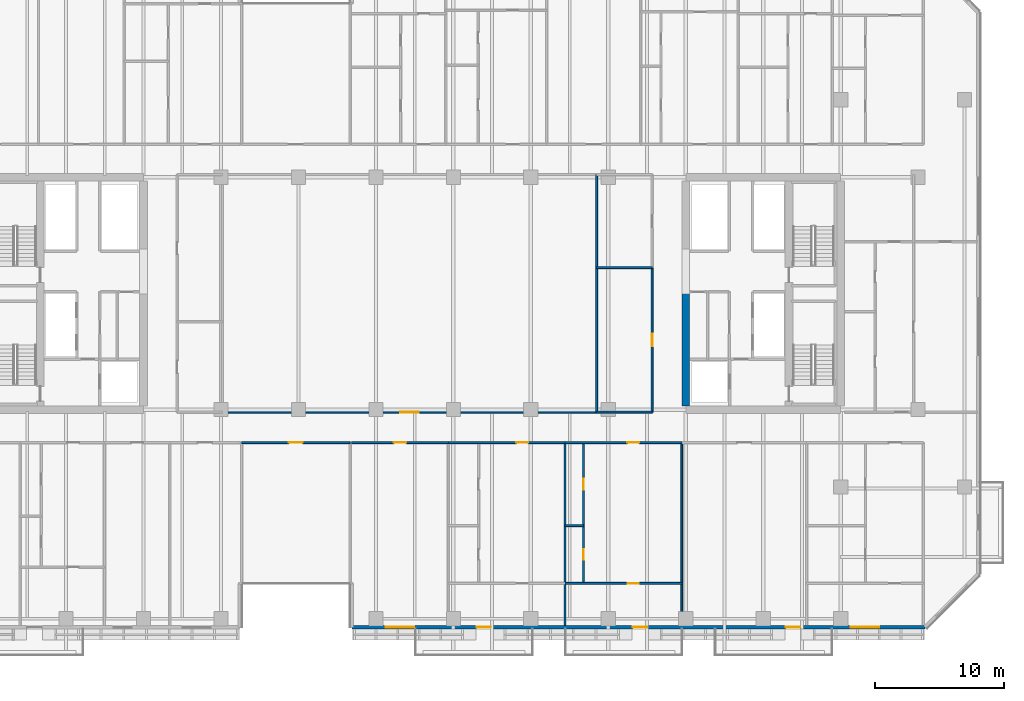
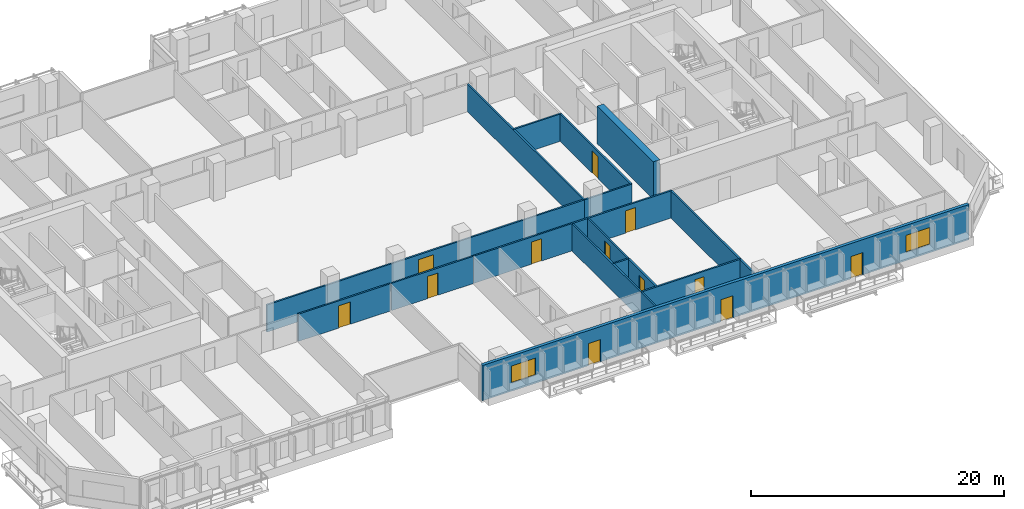
# One storey, part 12 of 26: 16 walls, 12 doors, 2 windows, 14 openings.
"""IFC4 building model written with IfcOpenShell, lengths in metres."""

import ifcopenshell
import ifcopenshell.guid

model = None  # the IFC model being written
_history = None  # IfcOwnerHistory: only IFC2X3 demands one
_inside = {}  # id of a spatial element -> (the spatial element, [elements in it])
_under = {}  # id of a project, library or spatial element -> (it, [spatial elements below it])
_declared = {}  # id of a project -> (the project, [libraries it declares])
_typed = {}  # id of a type object -> (the type object, [elements of that type])
_made_of = {}  # id of a material, layer set ... -> (it, [elements and type objects made of it])


def new_model(schema):
    """Start an empty IFC model of exactly this schema.

    Asked for "IFC4X3", IfcOpenShell would pick the latest addendum, in which some entities
    have other attributes; the version numbers below select the first issue.
    IFC2X3 requires an IfcOwnerHistory on every rooted entity: one is made here for all.
    """
    global model, _history
    if schema == "IFC4X3":
        model = ifcopenshell.file(schema_version=(4, 3, 0, 0))
    else:
        model = ifcopenshell.file(schema=schema)
    _inside.clear()
    _under.clear()
    _declared.clear()
    _typed.clear()
    _made_of.clear()
    _history = None
    if model.schema == "IFC2X3":
        org = make("IfcOrganization", Name="unknown")
        user = make(
            "IfcPersonAndOrganization",
            ThePerson=make("IfcPerson", FamilyName="unknown"),
            TheOrganization=org,
        )
        app = make(
            "IfcApplication",
            ApplicationDeveloper=org,
            Version="unknown",
            ApplicationFullName="unknown",
            ApplicationIdentifier="unknown",
        )
        _history = make(
            "IfcOwnerHistory",
            OwningUser=user,
            OwningApplication=app,
            ChangeAction="ADDED",
            CreationDate=0,
        )
    return model


def make(cls, **values):
    """One entity of the class cls with the attributes given. An attribute that is None is left unset."""
    return model.create_entity(
        cls, **{name: value for name, value in values.items() if value is not None}
    )


def rooted(cls, **values):
    """An entity with a GlobalId (a new one), such as an element, a storey or a relation."""
    return make(cls, GlobalId=ifcopenshell.guid.new(), OwnerHistory=_history, **values)


def si_unit(unit_type, name, prefix=None):
    """IfcSIUnit, for example si_unit("LENGTHUNIT", "METRE", prefix="MILLI")."""
    return make("IfcSIUnit", UnitType=unit_type, Prefix=prefix, Name=name)


def assignment(units):
    """IfcUnitAssignment: the units of a project."""
    return None if units is None else make("IfcUnitAssignment", Units=units)


def point(xyz):
    """IfcCartesianPoint."""
    return None if xyz is None else make("IfcCartesianPoint", Coordinates=xyz)


def direction(xyz):
    """IfcDirection."""
    return None if xyz is None else make("IfcDirection", DirectionRatios=xyz)


def frame(location, z_axis=None, x_axis=None):
    """IfcAxis2Placement3D, a coordinate frame: its origin and axes. An axis left out is left unset."""
    return make(
        "IfcAxis2Placement3D",
        Location=point(location),
        Axis=direction(z_axis),
        RefDirection=direction(x_axis),
    )


def frame_2d(location, x_axis=None):
    """IfcAxis2Placement2D, a coordinate frame in the plane: its origin and x axis."""
    return make(
        "IfcAxis2Placement2D", Location=point(location), RefDirection=direction(x_axis)
    )


def origin():
    """The frame at (0, 0, 0) with its axes left unset."""
    return frame((0.0, 0.0, 0.0))


def place(relative_to, where):
    """IfcLocalPlacement: puts the frame where relative to a parent placement (None: the world)."""
    return make(
        "IfcLocalPlacement", PlacementRelTo=relative_to, RelativePlacement=where
    )


def context(
    kind, dimensions, precision=None, world=None, true_north=None, identifier=None
):
    """IfcGeometricRepresentationContext, for example the 3D "Model" context."""
    return make(
        "IfcGeometricRepresentationContext",
        ContextIdentifier=identifier,
        ContextType=kind,
        CoordinateSpaceDimension=dimensions,
        Precision=precision,
        WorldCoordinateSystem=world,
        TrueNorth=true_north,
    )


def subcontext(parent, identifier, kind, view, scale=None):
    """IfcGeometricRepresentationSubContext, for example "Body" below "Model"."""
    return make(
        "IfcGeometricRepresentationSubContext",
        ContextIdentifier=identifier,
        ContextType=kind,
        ParentContext=parent,
        TargetScale=scale,
        TargetView=view,
    )


def project(units=None, contexts=None):
    """IfcProject with its units and contexts."""
    return rooted(
        "IfcProject",
        Name="project",
        RepresentationContexts=contexts,
        UnitsInContext=assignment(units),
    )


def spatial(cls, under=None, at=None, **own):
    """A site, building, storey or space (cls), placed at a placement, below another one or the project."""
    s = rooted(cls, ObjectPlacement=at, **own)
    if under is not None:
        _under.setdefault(under.id(), (under, []))[1].append(s)
    return s


def profile(cls, at=None, kind="AREA", **sizes):
    """A parametric profile (cls). Its sizes go by their IFC names, for example OverallWidth=200.0."""
    return make(cls, ProfileType=kind, Position=at, **sizes)


def rectangle(**sizes):
    """IfcRectangleProfileDef."""
    return profile("IfcRectangleProfileDef", **sizes)


def extrude(swept, where, along, depth):
    """IfcExtrudedAreaSolid: the profile swept, set in the frame where, extruded along a direction by depth."""
    return make(
        "IfcExtrudedAreaSolid",
        SweptArea=swept,
        Position=where,
        ExtrudedDirection=direction(along),
        Depth=depth,
    )


def shape(context_of_items, identifier, shape_type, items):
    """IfcShapeRepresentation: the items that make up one representation, for example the "Body"."""
    return make(
        "IfcShapeRepresentation",
        ContextOfItems=context_of_items,
        RepresentationIdentifier=identifier,
        RepresentationType=shape_type,
        Items=items,
    )


def material(Name=None, Category=None):
    """IfcMaterial."""
    return make("IfcMaterial", Name=Name, Category=Category)


def layer(
    of_material, thickness, ventilated=None, Name=None, Category=None, Priority=None
):
    """IfcMaterialLayer: one layer of a wall or slab, of a material (None: an air gap)."""
    return make(
        "IfcMaterialLayer",
        Material=of_material,
        LayerThickness=thickness,
        IsVentilated=ventilated,
        Name=Name,
        Category=Category,
        Priority=Priority,
    )


def layer_set(layers, Name=None):
    """IfcMaterialLayerSet."""
    return make("IfcMaterialLayerSet", MaterialLayers=layers, LayerSetName=Name)


def made_of(thing, what):
    """Note that an element or type object is made of a material, layer set ...; save() writes the relation."""
    if what is not None:
        _made_of.setdefault(what.id(), (what, []))[1].append(thing)
    return thing


def type_object(cls, material=None, **own):
    """A type object (cls), such as IfcWallType, which elements share."""
    return made_of(rooted(cls, **own), material)


def element(
    cls,
    number,
    at=None,
    inside=None,
    cuts=None,
    type_object=None,
    material=None,
    context=None,
    identifier="Body",
    shape_type=None,
    held_by="IfcProductDefinitionShape",
    body=None,
    shapes=None,
    **own,
):
    """One element of the class cls, such as IfcWall. Its Tag is "e" and its number.

    at: its placement. inside: the storey or other place that contains it. cuts: it is an
    opening in that element (IfcRelVoidsElement). A single representation is given by context,
    identifier, shape_type and body (its items); several are given by shapes. held_by: the class
    of the entity that holds the representations. save() writes the other relations.
    """
    e = rooted(cls, Tag="e%d" % number, ObjectPlacement=at, **own)
    if body is not None:
        shapes = [shape(context, identifier, shape_type, body)]
    if shapes is not None:
        e.Representation = make(held_by, Representations=shapes)
    if inside is not None:
        _inside.setdefault(inside.id(), (inside, []))[1].append(e)
    if cuts is not None:
        rooted(
            "IfcRelVoidsElement", RelatingBuildingElement=cuts, RelatedOpeningElement=e
        )
    if type_object is not None:
        _typed.setdefault(type_object.id(), (type_object, []))[1].append(e)
    return made_of(e, material)


def fill(opening, filler):
    """IfcRelFillsElement: the door or window that sits in an opening."""
    return rooted(
        "IfcRelFillsElement",
        RelatingOpeningElement=opening,
        RelatedBuildingElement=filler,
    )


def aggregate(whole, parts):
    """IfcRelAggregates: a whole, such as a stair, and the parts it consists of."""
    return rooted("IfcRelAggregates", RelatingObject=whole, RelatedObjects=parts)


def save(model, path):
    """Write the relations noted so far, then the file.

    IfcRelAggregates (storeys below a building ...), IfcRelContainedInSpatialStructure (elements
    in a storey), IfcRelDefinesByType, IfcRelAssociatesMaterial and IfcRelDeclares: one each for
    every whole, place, type object, material and project.
    """
    for whole, parts in _under.values():
        aggregate(whole, parts)
    for where, things in _inside.values():
        rooted(
            "IfcRelContainedInSpatialStructure",
            RelatedElements=things,
            RelatingStructure=where,
        )
    for kind, things in _typed.values():
        rooted("IfcRelDefinesByType", RelatedObjects=things, RelatingType=kind)
    for what, things in _made_of.values():
        rooted("IfcRelAssociatesMaterial", RelatedObjects=things, RelatingMaterial=what)
    for by, libraries in _declared.values():
        rooted("IfcRelDeclares", RelatingContext=by, RelatedDefinitions=libraries)
    model.write(path)


model = new_model("IFC4")

# Units and contexts
model_context = context("Model", 3, precision=1e-05, world=origin(), true_north=direction((0.0, 1.0)))
body_context = subcontext(model_context, "Body", "Model", "MODEL_VIEW")
ifc_project = project(units=[si_unit("LENGTHUNIT", "METRE"), si_unit("AREAUNIT", "SQUARE_METRE"), si_unit("VOLUMEUNIT", "CUBIC_METRE"), si_unit("PLANEANGLEUNIT", "RADIAN"), si_unit("MASSUNIT", "GRAM", prefix="KILO")], contexts=[model_context])

# Site, building, storey
site_placement = place(None, origin())
site = spatial("IfcSite", under=ifc_project, at=site_placement, CompositionType="ELEMENT")
building_placement = place(site_placement, origin())
building = spatial("IfcBuilding", under=site, at=building_placement, Name="Tanjung Sevakor Pilgrim Tower", CompositionType="ELEMENT")
storey_placement = place(building_placement, frame((0.0, 0.0, 66.0)))
storey = spatial("IfcBuildingStorey", under=building, at=storey_placement, Name="L18", CompositionType="ELEMENT", Elevation=66.0)

# Wall
ifc_material_1 = material(Name="Concrete C60/75", Category="concrete")
ifc_layer_1 = layer(ifc_material_1, 0.60009765625)
ifc_layer_set_1 = layer_set([ifc_layer_1], Name="WALL-CW-600")
wall_type_1 = type_object("IfcWallType", Name="WALL-CW-600", PredefinedType="SHEAR", material=ifc_layer_set_1)
wall_1_placement = place(storey_placement, frame((78.0, 24.89990234375, 0.0), z_axis=(0.0, 0.0, 1.0), x_axis=(0.0, 1.0, 0.0)))
element("IfcWall", 1, at=wall_1_placement, inside=storey, type_object=wall_type_1, Name="L18 E Core Inner Shear Wall South", PredefinedType="SHEAR", context=body_context, shape_type="SweptSolid", body=[
    extrude(rectangle(XDim=8.900146484375, YDim=0.60009765625, at=frame_2d((4.4501953125, 0.0))), origin(), (0.0, 0.0, 1.0), 3.6298828125),
])

# Wall, opening, door
ifc_material_2 = material(Name="Concrete C40/50", Category="concrete")
ifc_layer_2 = layer(ifc_material_2, 0.14990234375)
ifc_layer_set_2 = layer_set([ifc_layer_2], Name="WT-COMP-150")
wall_type_2 = type_object("IfcWallType", Name="WT-COMP-150", PredefinedType="SOLIDWALL", material=ifc_layer_set_2)
wall_2_placement = place(storey_placement, frame((42.10009765625, 24.39990234375, 0.0), z_axis=(0.0, 0.0, 1.0), x_axis=(1.0, 0.0, 0.0)))
wall_2 = element("IfcWall", 2, at=wall_2_placement, inside=storey, type_object=wall_type_2, Name="L18 Partition IW-L18-030", PredefinedType="SOLIDWALL", context=body_context, shape_type="SweptSolid", body=[
    extrude(rectangle(XDim=29.0, YDim=0.14990234375, at=frame_2d((14.5, 0.0))), origin(), (0.0, 0.0, 1.0), 2.625244140625),
])
opening_1_placement = place(wall_2_placement, frame((13.800048828125, 0.0, 0.0)))
opening_1 = element("IfcOpeningElement", 3, at=opening_1_placement, cuts=wall_2, Name="Opening ID-HD1", PredefinedType="OPENING", context=body_context, shape_type="SweptSolid", body=[
    extrude(rectangle(XDim=1.39990234375, YDim=2.14990234375, at=frame_2d((0.699951171875, 1.074951171875))), frame((0.0, 0.0849609375, 0.0), z_axis=(0.0, -1.0, 0.0), x_axis=(1.0, 0.0, 0.0)), (0.0, 0.0, 1.0), 0.169921875),
])
ifc_material_3 = material(Name="Hardwood Timber", Category="wood")
door_type_1 = type_object("IfcDoorType", Name="DT-INT-1400", OperationType="DOUBLE_DOOR_SINGLE_SWING", PredefinedType="DOOR", material=ifc_material_3)
door_1_placement = place(opening_1_placement, origin())
door_1 = element("IfcDoor", 4, at=door_1_placement, inside=storey, type_object=door_type_1, Name="L18 Sky-Prayer Sanctuary Door", OperationType="SINGLE_SWING_RIGHT", OverallHeight=2.14990234375, OverallWidth=1.39990234375, PredefinedType="DOOR", context=body_context, shape_type="SweptSolid", body=[
    extrude(rectangle(XDim=1.39990234375, YDim=2.14990234375, at=frame_2d((0.699951171875, 1.074951171875))), frame((0.0, 0.02490234375, 0.0), z_axis=(0.0, -1.0, 0.0), x_axis=(1.0, 0.0, 0.0)), (0.0, 0.0, 1.0), 0.050048828125),
])
fill(opening_1, door_1)

# Walls
wall_3_placement = place(storey_placement, frame((71.10009765625, 24.39990234375, 0.0), z_axis=(0.0, 0.0, 1.0), x_axis=(0.0, 1.0, 0.0)))
element("IfcWall", 5, at=wall_3_placement, inside=storey, type_object=wall_type_2, Name="L18 Partition IW-L18-033", PredefinedType="SOLIDWALL", context=body_context, shape_type="SweptSolid", body=[
    extrude(rectangle(XDim=18.400146484375, YDim=0.14990234375, at=frame_2d((9.2001953125, 0.0))), origin(), (0.0, 0.0, 1.0), 2.6298828125),
])
wall_4_placement = place(storey_placement, frame((71.10009765625, 24.39990234375, 0.0), z_axis=(0.0, 0.0, 1.0), x_axis=(1.0, 0.0, 0.0)))
element("IfcWall", 6, at=wall_4_placement, inside=storey, type_object=wall_type_2, Name="L18 Partition IW-L18-034", PredefinedType="SOLIDWALL", context=body_context, shape_type="SweptSolid", body=[
    extrude(rectangle(XDim=4.2998046875, YDim=0.14990234375, at=frame_2d((2.14990234375, 0.0))), origin(), (0.0, 0.0, 1.0), 2.625244140625),
])
wall_5_placement = place(storey_placement, frame((71.10009765625, 35.60009765625, 0.0), z_axis=(0.0, 0.0, 1.0), x_axis=(1.0, 0.0, 0.0)))
element("IfcWall", 7, at=wall_5_placement, inside=storey, type_object=wall_type_2, Name="L18 Partition IW-L18-035", PredefinedType="SOLIDWALL", context=body_context, shape_type="SweptSolid", body=[
    extrude(rectangle(XDim=4.2998046875, YDim=0.14990234375, at=frame_2d((2.14990234375, 0.0))), origin(), (0.0, 0.0, 1.0), 2.6298828125),
])

# Wall, opening, door
wall_6_placement = place(storey_placement, frame((75.39990234375, 24.39990234375, 0.0), z_axis=(0.0, 0.0, 1.0), x_axis=(0.0, 1.0, 0.0)))
wall_6 = element("IfcWall", 8, at=wall_6_placement, inside=storey, type_object=wall_type_2, Name="L18 Partition IW-L18-036", PredefinedType="SOLIDWALL", context=body_context, shape_type="SweptSolid", body=[
    extrude(rectangle(XDim=11.2001953125, YDim=0.14990234375, at=frame_2d((5.60009765625, 0.0))), origin(), (0.0, 0.0, 1.0), 2.6298828125),
])
opening_2_placement = place(wall_6_placement, frame((5.125, 0.0, 0.0)))
opening_2 = element("IfcOpeningElement", 9, at=opening_2_placement, cuts=wall_6, Name="Opening ID-RM1", PredefinedType="OPENING", context=body_context, shape_type="SweptSolid", body=[
    extrude(rectangle(XDim=0.949951171875, YDim=2.14990234375, at=frame_2d((0.47509765625, 1.074951171875))), frame((0.0, 0.0849609375, 0.0), z_axis=(0.0, -1.0, 0.0), x_axis=(1.0, 0.0, 0.0)), (0.0, 0.0, 1.0), 0.169921875),
])
ifc_material_4 = material(Name="Hardwood Timber", Category="wood")
door_type_2 = type_object("IfcDoorType", Name="DT-INT-950", OperationType="NOTDEFINED", PredefinedType="DOOR", material=ifc_material_4)
door_2_placement = place(opening_2_placement, origin())
door_2 = element("IfcDoor", 10, at=door_2_placement, inside=storey, type_object=door_type_2, Name="L18 Female Ablution Door", OperationType="SINGLE_SWING_LEFT", OverallHeight=2.14990234375, OverallWidth=0.949951171875, PredefinedType="DOOR", context=body_context, shape_type="SweptSolid", body=[
    extrude(rectangle(XDim=0.949951171875, YDim=2.14990234375, at=frame_2d((0.47509765625, 1.074951171875))), frame((0.0, 0.02490234375, 0.0), z_axis=(0.0, -1.0, 0.0), x_axis=(1.0, 0.0, 0.0)), (0.0, 0.0, 1.0), 0.050048828125),
])
fill(opening_2, door_2)

wall_7_placement = place(storey_placement, frame((43.60009765625, 22.050048828125, 0.0), z_axis=(0.0, 0.0, 1.0), x_axis=(1.0, 0.0, 0.0)))
wall_7 = element("IfcWall", 11, at=wall_7_placement, inside=storey, type_object=wall_type_2, Name="L18 Partition IW-L18-046", PredefinedType="SOLIDWALL", context=body_context, shape_type="SweptSolid", body=[
    extrude(rectangle(XDim=8.39990234375, YDim=0.14990234375, at=frame_2d((4.199951171875, 0.0))), origin(), (0.0, 0.0, 1.0), 2.6298828125),
])
opening_3_placement = place(wall_7_placement, frame((3.64990234375, 0.0, 0.0)))
opening_3 = element("IfcOpeningElement", 12, at=opening_3_placement, cuts=wall_7, Name="Opening ID-RM2", PredefinedType="OPENING", context=body_context, shape_type="SweptSolid", body=[
    extrude(rectangle(XDim=1.10009765625, YDim=2.14990234375, at=frame_2d((0.550048828125, 1.074951171875))), frame((0.0, 0.0849609375, 0.0), z_axis=(0.0, -1.0, 0.0), x_axis=(1.0, 0.0, 0.0)), (0.0, 0.0, 1.0), 0.169921875),
])
ifc_material_5 = material(Name="Hardwood Timber", Category="wood")
door_type_3 = type_object("IfcDoorType", Name="DT-INT-1100", OperationType="NOTDEFINED", PredefinedType="DOOR", material=ifc_material_5)
door_3_placement = place(opening_3_placement, origin())
door_3 = element("IfcDoor", 13, at=door_3_placement, inside=storey, type_object=door_type_3, Name="L18 South Cleft Communal Lounge Door", OperationType="SINGLE_SWING_RIGHT", OverallHeight=2.14990234375, OverallWidth=1.10009765625, PredefinedType="DOOR", context=body_context, shape_type="SweptSolid", body=[
    extrude(rectangle(XDim=1.10009765625, YDim=2.14990234375, at=frame_2d((0.550048828125, 1.074951171875))), frame((0.0, 0.02490234375, 0.0), z_axis=(0.0, -1.0, 0.0), x_axis=(1.0, 0.0, 0.0)), (0.0, 0.0, 1.0), 0.050048828125),
])
fill(opening_3, door_3)

wall_8_placement = place(storey_placement, frame((52.1201171875, 22.050048828125, 0.0), z_axis=(0.0, 0.0, 1.0), x_axis=(1.0, 0.0, 0.0)))
wall_8 = element("IfcWall", 14, at=wall_8_placement, inside=storey, type_object=wall_type_2, Name="L18 Partition IW-L18-065", PredefinedType="SOLIDWALL", context=body_context, shape_type="SweptSolid", body=[
    extrude(rectangle(XDim=7.48388671875, YDim=0.14990234375, at=frame_2d((3.741943359375, 0.0))), origin(), (0.0, 0.0, 1.0), 2.6298828125),
])
opening_4_placement = place(wall_8_placement, frame((3.26708984375, 0.0, 0.0)))
opening_4 = element("IfcOpeningElement", 15, at=opening_4_placement, cuts=wall_8, Name="Opening ID-FD2", PredefinedType="OPENING", context=body_context, shape_type="SweptSolid", body=[
    extrude(rectangle(XDim=0.949951171875, YDim=2.14990234375, at=frame_2d((0.47509765625, 1.074951171875))), frame((0.0, 0.0849609375, 0.0), z_axis=(0.0, -1.0, 0.0), x_axis=(1.0, 0.0, 0.0)), (0.0, 0.0, 1.0), 0.169921875),
])
ifc_material_6 = material(Name="Fire-Rated Timber", Category="wood")
door_type_4 = type_object("IfcDoorType", Name="DT-FIRE-950", OperationType="NOTDEFINED", PredefinedType="DOOR", material=ifc_material_6)
door_4_placement = place(opening_4_placement, origin())
door_4 = element("IfcDoor", 16, at=door_4_placement, inside=storey, type_object=door_type_4, Name="Housekeeping Pantry Door", OperationType="SINGLE_SWING_LEFT", OverallHeight=2.14990234375, OverallWidth=0.949951171875, PredefinedType="DOOR", context=body_context, shape_type="SweptSolid", body=[
    extrude(rectangle(XDim=0.949951171875, YDim=2.14990234375, at=frame_2d((0.47509765625, 1.074951171875))), frame((0.0, 0.02490234375, 0.0), z_axis=(0.0, -1.0, 0.0), x_axis=(1.0, 0.0, 0.0)), (0.0, 0.0, 1.0), 0.050048828125),
])
fill(opening_4, door_4)

# Wall
wall_9_placement = place(storey_placement, frame((68.64697265625, 7.8798828125, 0.0), z_axis=(0.0, 0.0, 1.0), x_axis=(0.0, 1.0, 0.0)))
element("IfcWall", 17, at=wall_9_placement, inside=storey, type_object=wall_type_2, Name="L18 Partition IW-L18-066", PredefinedType="SOLIDWALL", context=body_context, shape_type="SweptSolid", body=[
    extrude(rectangle(XDim=14.170166015625, YDim=0.14990234375, at=frame_2d((7.0849609375, 0.0))), origin(), (0.0, 0.0, 1.0), 2.6298828125),
])

# Wall, opening, door
wall_10_placement = place(storey_placement, frame((59.60400390625, 22.050048828125, 0.0), z_axis=(0.0, 0.0, 1.0), x_axis=(1.0, 0.0, 0.0)))
wall_10 = element("IfcWall", 18, at=wall_10_placement, inside=storey, type_object=wall_type_2, Name="L18 Partition IW-L18-070", PredefinedType="SOLIDWALL", context=body_context, shape_type="SweptSolid", body=[
    extrude(rectangle(XDim=9.04296875, YDim=0.14990234375, at=frame_2d((4.521484375, 0.0))), origin(), (0.0, 0.0, 1.0), 2.6298828125),
])
opening_5_placement = place(wall_10_placement, frame((5.26171875, 0.0, 0.0)))
opening_5 = element("IfcOpeningElement", 19, at=opening_5_placement, cuts=wall_10, Name="Opening ID-FD2", PredefinedType="OPENING", context=body_context, shape_type="SweptSolid", body=[
    extrude(rectangle(XDim=0.949951171875, YDim=2.14990234375, at=frame_2d((0.47509765625, 1.074951171875))), frame((0.0, 0.0849609375, 0.0), z_axis=(0.0, -1.0, 0.0), x_axis=(1.0, 0.0, 0.0)), (0.0, 0.0, 1.0), 0.169921875),
])
door_5_placement = place(opening_5_placement, origin())
door_5 = element("IfcDoor", 20, at=door_5_placement, inside=storey, type_object=door_type_4, Name="Residence Entrance", OperationType="SINGLE_SWING_LEFT", OverallHeight=2.14990234375, OverallWidth=0.949951171875, PredefinedType="DOOR", context=body_context, shape_type="SweptSolid", body=[
    extrude(rectangle(XDim=0.949951171875, YDim=2.14990234375, at=frame_2d((0.47509765625, 1.074951171875))), frame((0.0, 0.02490234375, 0.0), z_axis=(0.0, -1.0, 0.0), x_axis=(1.0, 0.0, 0.0)), (0.0, 0.0, 1.0), 0.050048828125),
])
fill(opening_5, door_5)

# Wall
wall_11_placement = place(storey_placement, frame((77.690185546875, 7.8798828125, 0.0), z_axis=(0.0, 0.0, 1.0), x_axis=(0.0, 1.0, 0.0)))
element("IfcWall", 21, at=wall_11_placement, inside=storey, type_object=wall_type_2, Name="L18 Partition IW-L18-071", PredefinedType="SOLIDWALL", context=body_context, shape_type="SweptSolid", body=[
    extrude(rectangle(XDim=14.170166015625, YDim=0.14990234375, at=frame_2d((7.0849609375, 0.0))), origin(), (0.0, 0.0, 1.0), 2.6298828125),
])

# Wall, opening, door
wall_12_placement = place(storey_placement, frame((68.64697265625, 22.050048828125, 0.0), z_axis=(0.0, 0.0, 1.0), x_axis=(1.0, 0.0, 0.0)))
wall_12 = element("IfcWall", 22, at=wall_12_placement, inside=storey, type_object=wall_type_2, Name="L18 Partition IW-L18-075", PredefinedType="SOLIDWALL", context=body_context, shape_type="SweptSolid", body=[
    extrude(rectangle(XDim=9.043212890625, YDim=0.14990234375, at=frame_2d((4.521484375, 0.0))), origin(), (0.0, 0.0, 1.0), 2.6298828125),
])
opening_6_placement = place(wall_12_placement, frame((4.802978515625, 0.0, 0.0)))
opening_6 = element("IfcOpeningElement", 23, at=opening_6_placement, cuts=wall_12, Name="Opening ID-FD2", PredefinedType="OPENING", context=body_context, shape_type="SweptSolid", body=[
    extrude(rectangle(XDim=0.949951171875, YDim=2.14990234375, at=frame_2d((0.47509765625, 1.074951171875))), frame((0.0, 0.0849609375, 0.0), z_axis=(0.0, -1.0, 0.0), x_axis=(1.0, 0.0, 0.0)), (0.0, 0.0, 1.0), 0.169921875),
])
door_6_placement = place(opening_6_placement, origin())
door_6 = element("IfcDoor", 24, at=door_6_placement, inside=storey, type_object=door_type_4, Name="Residence Entrance", OperationType="SINGLE_SWING_LEFT", OverallHeight=2.14990234375, OverallWidth=0.949951171875, PredefinedType="DOOR", context=body_context, shape_type="SweptSolid", body=[
    extrude(rectangle(XDim=0.949951171875, YDim=2.14990234375, at=frame_2d((0.47509765625, 1.074951171875))), frame((0.0, 0.02490234375, 0.0), z_axis=(0.0, -1.0, 0.0), x_axis=(1.0, 0.0, 0.0)), (0.0, 0.0, 1.0), 0.050048828125),
])
fill(opening_6, door_6)

# Wall, openings, doors, windows
ifc_material_7 = material(Name="Precast concrete C45/55", Category="concrete")
ifc_layer_3 = layer(ifc_material_7, 0.280029296875)
ifc_layer_set_3 = layer_set([ifc_layer_3], Name="WT-EW-STN2")
wall_type_3 = type_object("IfcWallType", Name="WT-EW-STN2", PredefinedType="SOLIDWALL", material=ifc_layer_set_3)
wall_13_placement = place(storey_placement, frame((52.139892578125, 7.739990234375, 0.0), z_axis=(0.0, 0.0, 1.0), x_axis=(1.0, 0.0, 0.0)))
wall_13 = element("IfcWall", 25, at=wall_13_placement, inside=storey, type_object=wall_type_3, Name="L18 MAIN Exterior Wall 5", PredefinedType="SOLIDWALL", context=body_context, shape_type="SweptSolid", body=[
    extrude(rectangle(XDim=44.402099609375, YDim=0.280029296875, at=frame_2d((22.201171875, 0.0))), origin(), (0.0, 0.0, 1.0), 3.409912109375),
])
opening_7_placement = place(wall_13_placement, frame((9.659912109375, 0.0, 0.0)))
opening_7 = element("IfcOpeningElement", 26, at=opening_7_placement, cuts=wall_13, Name="Opening ED-BAL-1100", PredefinedType="OPENING", context=body_context, shape_type="SweptSolid", body=[
    extrude(rectangle(XDim=1.10009765625, YDim=2.14990234375, at=frame_2d((0.550048828125, 1.074951171875))), frame((0.0, 0.14990234375, 0.0), z_axis=(0.0, -1.0, 0.0), x_axis=(1.0, 0.0, 0.0)), (0.0, 0.0, 1.0), 0.300048828125),
])
opening_8_placement = place(wall_13_placement, frame((21.760009765625, 0.0, 0.0)))
opening_8 = element("IfcOpeningElement", 27, at=opening_8_placement, cuts=wall_13, Name="Opening ED-BAL-1100", PredefinedType="OPENING", context=body_context, shape_type="SweptSolid", body=[
    extrude(rectangle(XDim=1.10009765625, YDim=2.14990234375, at=frame_2d((0.550048828125, 1.074951171875))), frame((0.0, 0.14990234375, 0.0), z_axis=(0.0, -1.0, 0.0), x_axis=(1.0, 0.0, 0.0)), (0.0, 0.0, 1.0), 0.300048828125),
])
opening_9_placement = place(wall_13_placement, frame((33.610107421875, 0.0, 0.0)))
opening_9 = element("IfcOpeningElement", 28, at=opening_9_placement, cuts=wall_13, Name="Opening ED-BAL-1100", PredefinedType="OPENING", context=body_context, shape_type="SweptSolid", body=[
    extrude(rectangle(XDim=1.10009765625, YDim=2.14990234375, at=frame_2d((0.550048828125, 1.074951171875))), frame((0.0, 0.14990234375, 0.0), z_axis=(0.0, -1.0, 0.0), x_axis=(1.0, 0.0, 0.0)), (0.0, 0.0, 1.0), 0.300048828125),
])
opening_10_placement = place(wall_13_placement, frame((2.621826171875, 0.0, 0.780029296875)))
opening_10 = element("IfcOpeningElement", 29, at=opening_10_placement, cuts=wall_13, Name="Opening WN-Z1-1660", PredefinedType="OPENING", context=body_context, shape_type="SweptSolid", body=[
    extrude(rectangle(XDim=2.199951171875, YDim=1.659912109375, at=frame_2d((1.10009765625, 0.830078125))), frame((0.0, 0.14990234375, 0.0), z_axis=(0.0, -1.0, 0.0), x_axis=(1.0, 0.0, 0.0)), (0.0, 0.0, 1.0), 0.300048828125),
])
opening_11_placement = place(wall_13_placement, frame((38.638427734375, 0.0, 0.780029296875)))
opening_11 = element("IfcOpeningElement", 30, at=opening_11_placement, cuts=wall_13, Name="Opening WN-Z1-1660", PredefinedType="OPENING", context=body_context, shape_type="SweptSolid", body=[
    extrude(rectangle(XDim=2.199951171875, YDim=1.659912109375, at=frame_2d((1.10009765625, 0.830078125))), frame((0.0, 0.14990234375, 0.0), z_axis=(0.0, -1.0, 0.0), x_axis=(1.0, 0.0, 0.0)), (0.0, 0.0, 1.0), 0.300048828125),
])
ifc_material_8 = material(Name="Anodised Aluminium and Laminated Glass", Category="aluminium")
door_type_5 = type_object("IfcDoorType", Name="DTYP-ED-BAL-1100", OperationType="NOTDEFINED", PredefinedType="DOOR", material=ifc_material_8)
door_7_placement = place(opening_7_placement, frame((1.10009765625, 0.0, 0.0), z_axis=(0.0, 0.0, 1.0), x_axis=(-1.0, 0.0, 0.0)))
door_7 = element("IfcDoor", 31, at=door_7_placement, inside=storey, type_object=door_type_5, Name="L18 Balcony Door MAIN-S2", OperationType="SINGLE_SWING_LEFT", OverallHeight=2.14990234375, OverallWidth=1.10009765625, PredefinedType="DOOR", context=body_context, shape_type="SweptSolid", body=[
    extrude(rectangle(XDim=1.10009765625, YDim=2.14990234375, at=frame_2d((0.550048828125, 1.074951171875))), frame((0.0, 0.02490234375, 0.0), z_axis=(0.0, -1.0, 0.0), x_axis=(1.0, 0.0, 0.0)), (0.0, 0.0, 1.0), 0.050048828125),
])
fill(opening_7, door_7)
door_8_placement = place(opening_8_placement, frame((1.10009765625, 0.0, 0.0), z_axis=(0.0, 0.0, 1.0), x_axis=(-1.0, 0.0, 0.0)))
door_8 = element("IfcDoor", 32, at=door_8_placement, inside=storey, type_object=door_type_5, Name="L18 Balcony Door MAIN-S3", OperationType="SINGLE_SWING_RIGHT", OverallHeight=2.14990234375, OverallWidth=1.10009765625, PredefinedType="DOOR", context=body_context, shape_type="SweptSolid", body=[
    extrude(rectangle(XDim=1.10009765625, YDim=2.14990234375, at=frame_2d((0.550048828125, 1.074951171875))), frame((0.0, 0.02490234375, 0.0), z_axis=(0.0, -1.0, 0.0), x_axis=(1.0, 0.0, 0.0)), (0.0, 0.0, 1.0), 0.050048828125),
])
fill(opening_8, door_8)
door_9_placement = place(opening_9_placement, frame((1.10009765625, 0.0, 0.0), z_axis=(0.0, 0.0, 1.0), x_axis=(-1.0, 0.0, 0.0)))
door_9 = element("IfcDoor", 33, at=door_9_placement, inside=storey, type_object=door_type_5, Name="L18 Balcony Door MAIN-S4", OperationType="SINGLE_SWING_LEFT", OverallHeight=2.14990234375, OverallWidth=1.10009765625, PredefinedType="DOOR", context=body_context, shape_type="SweptSolid", body=[
    extrude(rectangle(XDim=1.10009765625, YDim=2.14990234375, at=frame_2d((0.550048828125, 1.074951171875))), frame((0.0, 0.02490234375, 0.0), z_axis=(0.0, -1.0, 0.0), x_axis=(1.0, 0.0, 0.0)), (0.0, 0.0, 1.0), 0.050048828125),
])
fill(opening_9, door_9)
ifc_material_9 = material(Name="Thermally Broken Aluminium and Low-E Glass", Category="aluminium")
window_type = type_object("IfcWindowType", Name="WTYP-WN-Z1-1660", PartitioningType="DOUBLE_PANEL_VERTICAL", PredefinedType="WINDOW", material=ifc_material_9)
window_1_placement = place(opening_10_placement, origin())
window_1 = element("IfcWindow", 34, at=window_1_placement, inside=storey, type_object=window_type, Name="L18 Facade Window 01", OverallHeight=1.659912109375, OverallWidth=2.199951171875, PartitioningType="SINGLE_PANEL", PredefinedType="WINDOW", context=body_context, shape_type="SweptSolid", body=[
    extrude(rectangle(XDim=2.199951171875, YDim=1.659912109375, at=frame_2d((1.10009765625, 0.830078125))), frame((0.0, 0.030029296875, 0.0), z_axis=(0.0, -1.0, 0.0), x_axis=(1.0, 0.0, 0.0)), (0.0, 0.0, 1.0), 0.06005859375),
])
fill(opening_10, window_1)
window_2_placement = place(opening_11_placement, origin())
window_2 = element("IfcWindow", 35, at=window_2_placement, inside=storey, type_object=window_type, Name="L18 Facade Window 02", OverallHeight=1.659912109375, OverallWidth=2.199951171875, PartitioningType="SINGLE_PANEL", PredefinedType="WINDOW", context=body_context, shape_type="SweptSolid", body=[
    extrude(rectangle(XDim=2.199951171875, YDim=1.659912109375, at=frame_2d((1.10009765625, 0.830078125))), frame((0.0, 0.030029296875, 0.0), z_axis=(0.0, -1.0, 0.0), x_axis=(1.0, 0.0, 0.0)), (0.0, 0.0, 1.0), 0.06005859375),
])
fill(opening_11, window_2)

# Wall
ifc_material_10 = material(Name="Gypsum Board Partition", Category="gypsum board")
ifc_layer_4 = layer(ifc_material_10, 0.14990234375)
ifc_layer_set_4 = layer_set([ifc_layer_4], Name="WT-PART-150")
wall_type_4 = type_object("IfcWallType", Name="WT-PART-150", PredefinedType="PARTITIONING", material=ifc_layer_set_4)
wall_14_placement = place(storey_placement, frame((68.64697265625, 15.614501953125, 0.0), z_axis=(0.0, 0.0, 1.0), x_axis=(1.0, 0.0, 0.0)))
element("IfcWall", 36, at=wall_14_placement, inside=storey, type_object=wall_type_4, Name="L18 Partition IW-L18-072", PredefinedType="PARTITIONING", context=body_context, shape_type="SweptSolid", body=[
    extrude(rectangle(XDim=1.43310546875, YDim=0.14990234375, at=frame_2d((0.716552734375, 0.0))), origin(), (0.0, 0.0, 1.0), 2.6298828125),
])

# Wall, openings, doors
wall_15_placement = place(storey_placement, frame((70.080078125, 11.14208984375, 0.0), z_axis=(0.0, 0.0, 1.0), x_axis=(0.0, 1.0, 0.0)))
wall_15 = element("IfcWall", 37, at=wall_15_placement, inside=storey, type_object=wall_type_4, Name="L18 Partition IW-L18-073", PredefinedType="PARTITIONING", context=body_context, shape_type="SweptSolid", body=[
    extrude(rectangle(XDim=10.907958984375, YDim=0.14990234375, at=frame_2d((5.4541015625, 0.0))), origin(), (0.0, 0.0, 1.0), 2.6298828125),
])
opening_12_placement = place(wall_15_placement, frame((1.81103515625, 0.0, 0.0)))
opening_12 = element("IfcOpeningElement", 38, at=opening_12_placement, cuts=wall_15, Name="Opening ID-WC1", PredefinedType="OPENING", context=body_context, shape_type="SweptSolid", body=[
    extrude(rectangle(XDim=0.85009765625, YDim=2.10009765625, at=frame_2d((0.425048828125, 1.050048828125))), frame((0.0, 0.0849609375, 0.0), z_axis=(0.0, -1.0, 0.0), x_axis=(1.0, 0.0, 0.0)), (0.0, 0.0, 1.0), 0.169921875),
])
opening_13_placement = place(wall_15_placement, frame((7.264892578125, 0.0, 0.0)))
opening_13 = element("IfcOpeningElement", 39, at=opening_13_placement, cuts=wall_15, Name="Opening ID-WC1", PredefinedType="OPENING", context=body_context, shape_type="SweptSolid", body=[
    extrude(rectangle(XDim=0.85009765625, YDim=2.10009765625, at=frame_2d((0.425048828125, 1.050048828125))), frame((0.0, 0.0849609375, 0.0), z_axis=(0.0, -1.0, 0.0), x_axis=(1.0, 0.0, 0.0)), (0.0, 0.0, 1.0), 0.169921875),
])
ifc_material_11 = material(Name="Moisture-Resistant Timber", Category="wood")
door_type_6 = type_object("IfcDoorType", Name="DT-INT-850", OperationType="NOTDEFINED", PredefinedType="DOOR", material=ifc_material_11)
door_10_placement = place(opening_12_placement, origin())
door_10 = element("IfcDoor", 40, at=door_10_placement, inside=storey, type_object=door_type_6, Name="Residence Bathroom Door", OperationType="SINGLE_SWING_RIGHT", OverallHeight=2.10009765625, OverallWidth=0.85009765625, PredefinedType="DOOR", context=body_context, shape_type="SweptSolid", body=[
    extrude(rectangle(XDim=0.85009765625, YDim=2.10009765625, at=frame_2d((0.425048828125, 1.050048828125))), frame((0.0, 0.02490234375, 0.0), z_axis=(0.0, -1.0, 0.0), x_axis=(1.0, 0.0, 0.0)), (0.0, 0.0, 1.0), 0.050048828125),
])
fill(opening_12, door_10)
door_11_placement = place(opening_13_placement, origin())
door_11 = element("IfcDoor", 41, at=door_11_placement, inside=storey, type_object=door_type_6, Name="Residence Kitchenette Door", OperationType="SINGLE_SWING_LEFT", OverallHeight=2.10009765625, OverallWidth=0.85009765625, PredefinedType="DOOR", context=body_context, shape_type="SweptSolid", body=[
    extrude(rectangle(XDim=0.85009765625, YDim=2.10009765625, at=frame_2d((0.425048828125, 1.050048828125))), frame((0.0, 0.02490234375, 0.0), z_axis=(0.0, -1.0, 0.0), x_axis=(1.0, 0.0, 0.0)), (0.0, 0.0, 1.0), 0.050048828125),
])
fill(opening_13, door_11)

# Wall, opening, door
wall_16_placement = place(storey_placement, frame((68.64697265625, 11.14208984375, 0.0), z_axis=(0.0, 0.0, 1.0), x_axis=(1.0, 0.0, 0.0)))
wall_16 = element("IfcWall", 42, at=wall_16_placement, inside=storey, type_object=wall_type_4, Name="L18 Partition IW-L18-074", PredefinedType="PARTITIONING", context=body_context, shape_type="SweptSolid", body=[
    extrude(rectangle(XDim=9.043212890625, YDim=0.14990234375, at=frame_2d((4.521484375, 0.0))), origin(), (0.0, 0.0, 1.0), 2.6298828125),
])
opening_14_placement = place(wall_16_placement, frame((4.85302734375, 0.0, 0.0)))
opening_14 = element("IfcOpeningElement", 43, at=opening_14_placement, cuts=wall_16, Name="Opening ID-WC1", PredefinedType="OPENING", context=body_context, shape_type="SweptSolid", body=[
    extrude(rectangle(XDim=0.85009765625, YDim=2.10009765625, at=frame_2d((0.425048828125, 1.050048828125))), frame((0.0, 0.0849609375, 0.0), z_axis=(0.0, -1.0, 0.0), x_axis=(1.0, 0.0, 0.0)), (0.0, 0.0, 1.0), 0.169921875),
])
door_12_placement = place(opening_14_placement, origin())
door_12 = element("IfcDoor", 44, at=door_12_placement, inside=storey, type_object=door_type_6, Name="Residence Bedroom Door", OperationType="SINGLE_SWING_RIGHT", OverallHeight=2.10009765625, OverallWidth=0.85009765625, PredefinedType="DOOR", context=body_context, shape_type="SweptSolid", body=[
    extrude(rectangle(XDim=0.85009765625, YDim=2.10009765625, at=frame_2d((0.425048828125, 1.050048828125))), frame((0.0, 0.02490234375, 0.0), z_axis=(0.0, -1.0, 0.0), x_axis=(1.0, 0.0, 0.0)), (0.0, 0.0, 1.0), 0.050048828125),
])
fill(opening_14, door_12)

save(model, "model.ifc")
